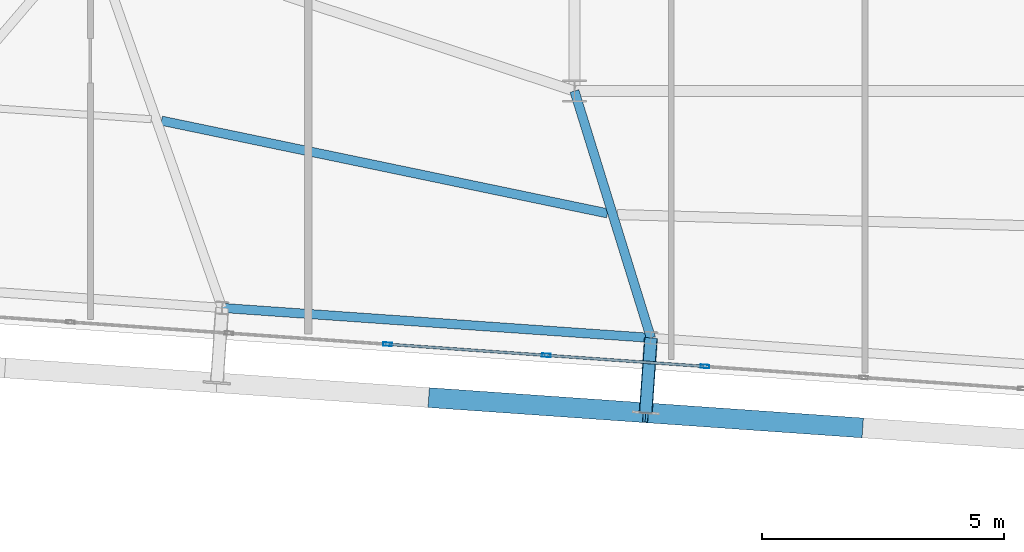
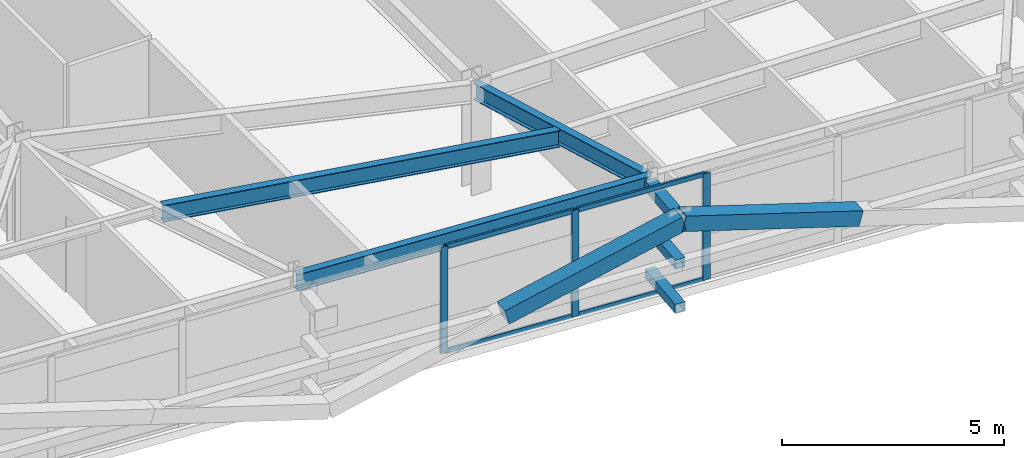
# One storey, part 11 of 47: 12 members, 3 beams, 1 element without a shape of its own.
"""IFC4 building model written with IfcOpenShell, lengths in metres."""

from ifc_helpers import new_model, si_unit, direction, frame, origin, origin_2d, place, context, subcontext, project, spatial, hollow_rectangle, i_section, extrude, source, transform, mapped, material, layer, layer_set, material_profile, profile_set, type_object, element, aggregate, save


model = new_model("IFC4")

# Units and contexts
model_context = context("Model", 3, precision=1e-05, world=origin(), true_north=direction((0.0, 1.0)))
body_context = subcontext(model_context, "Body", "Model", "MODEL_VIEW")
ifc_project = project(units=[si_unit("LENGTHUNIT", "METRE"), si_unit("AREAUNIT", "SQUARE_METRE"), si_unit("VOLUMEUNIT", "CUBIC_METRE"), si_unit("PLANEANGLEUNIT", "RADIAN"), si_unit("MASSUNIT", "GRAM", prefix="KILO")], contexts=[model_context])

# Site, building, storey
site_placement = place(None, origin())
site = spatial("IfcSite", under=ifc_project, at=site_placement, CompositionType="ELEMENT")
building_placement = place(site_placement, origin())
building = spatial("IfcBuilding", under=site, at=building_placement, Name="Taldren Reach Tower", CompositionType="ELEMENT")
storey_placement = place(building_placement, frame((0.0, 0.0, 142.449951171875)))
storey = spatial("IfcBuildingStorey", under=building, at=storey_placement, Name="L43", CompositionType="ELEMENT", Elevation=142.449951171875)

# Members
ifc_material_1 = material(Name="Steel Gr 450 (C450L0)", Category="steel")
ifc_material_profile_1 = material_profile(ifc_material_1, hollow_rectangle(XDim=0.27490234375, YDim=0.27490234375, WallThickness=0.00927734375, at=origin_2d()), Name="275x275x9.3SHS")
ifc_profile_set_1 = profile_set([ifc_material_profile_1], Name="Steel Gr 450 (C450L0)")
member_type_1 = type_object("IfcMemberType", Name="MB-TIE273", PredefinedType="STRUT", material=ifc_profile_set_1)
shared_shape_1 = source(origin(), body_context, "Body", "SweptSolid", [
    extrude(hollow_rectangle(XDim=0.27490234375, YDim=0.27490234375, WallThickness=0.00927734375, at=origin_2d()), origin(), (0.0, 0.0, 1.0), 1.550048828125),
])
member_1_placement = place(storey_placement, frame((29.580322265625, 4.099609375, 2.650146484375), z_axis=(-0.06976957191, -0.99756313426, 0.0), x_axis=(0.99756313426, -0.06976957191, 0.0)))
element("IfcMember", 1, at=member_1_placement, inside=storey, type_object=member_type_1, Name="Exoskeleton diaphragm tie strut B3-S3 L43", PredefinedType="STRUT", context=body_context, shape_type="MappedRepresentation", body=[
    mapped(shared_shape_1, transform((0.0, 0.0, 0.0), scale=1.0)),
])
ifc_material_2 = material(Name="Steel Gr 350 (C350L0)", Category="steel")
ifc_material_profile_2 = material_profile(ifc_material_2, hollow_rectangle(XDim=0.25, YDim=0.25, WallThickness=0.010009765625, at=origin_2d()), Name="250x250x10.0SHS")
ifc_profile_set_2 = profile_set([ifc_material_profile_2], Name="Steel Gr 350 (C350L0)")
member_type_2 = type_object("IfcMemberType", Name="MB-POST250", PredefinedType="POST", material=ifc_profile_set_2)
shared_shape_2 = source(origin(), body_context, "Body", "SweptSolid", [
    extrude(hollow_rectangle(XDim=0.25, YDim=0.25, WallThickness=0.010009765625, at=origin_2d()), origin(), (0.0, 0.0, 1.0), 1.550048828125),
])
for number, where, z_axis, x_axis, name in (
    (2, (29.580322265625, 4.099609375, 0.219970703125), (-0.06976957191, -0.99756313426, 0.0), (0.99756313426, -0.06976957191, 0.0), "Exoskeleton base diaphragm tie strut B3-S3 L43"),
    (3, (29.580322265625, 4.099609375, 1.43505859375), (-0.06976957191, -0.99756313426, 0.0), (0.99756313426, -0.06976957191, 0.0), "Exoskeleton mid-tier diaphragm tie B3-S3 L43"),
):
    element("IfcMember", number, at=place(storey_placement, frame(where, z_axis=z_axis, x_axis=x_axis)), inside=storey, type_object=member_type_2, Name=name, PredefinedType="POST", context=body_context, shape_type="MappedRepresentation", body=[
        mapped(shared_shape_2, transform((0.0, 0.0, 0.0), scale=1.0)),
    ])

# Beams
ifc_material_3 = material(Name="Steel Gr 350 (350PLUS)", Category="steel")
ifc_material_profile_3 = material_profile(ifc_material_3, i_section(OverallWidth=0.18994140625, OverallDepth=0.4541015625, WebThickness=0.008544921875, FlangeThickness=0.0126953125, at=origin_2d()), Name="460UB67.1")
ifc_profile_set_3 = profile_set([ifc_material_profile_3], Name="Steel Gr 350 (350PLUS)")
beam_type_1 = type_object("IfcBeamType", Name="SP-UB460B", PredefinedType="SPANDREL", material=ifc_profile_set_3)
shared_shape_3 = source(origin(), body_context, "Body", "SweptSolid", [
    extrude(i_section(OverallWidth=0.18994140625, OverallDepth=0.4541015625, WebThickness=0.008544921875, FlangeThickness=0.0126953125, at=origin_2d()), origin(), (0.0, 0.0, 1.0), 8.880126953125),
])
beam_1_placement = place(storey_placement, frame((20.721923828125, 4.718994140625, 2.703125), z_axis=(0.997564479639, -0.069750333063, 0.0), x_axis=(0.069750333063, 0.997564479639, 0.0)))
element("IfcBeam", 4, at=beam_1_placement, inside=storey, type_object=beam_type_1, Name="Perimeter spandrel B3 S2-S3 L43", PredefinedType="SPANDREL", context=body_context, shape_type="MappedRepresentation", body=[
    mapped(shared_shape_3, transform((0.0, 0.0, 0.0), scale=1.0)),
])
ifc_material_profile_4 = material_profile(ifc_material_3, i_section(OverallWidth=0.19091796875, OverallDepth=0.4599609375, WebThickness=0.010009765625, FlangeThickness=0.01611328125, at=origin_2d()), Name="460UB82.1")
ifc_profile_set_4 = profile_set([ifc_material_profile_4], Name="Steel Gr 350 (350PLUS)")
beam_type_2 = type_object("IfcBeamType", Name="BM-UB460A", PredefinedType="BEAM", material=ifc_profile_set_4)
shared_shape_4 = source(origin(), body_context, "Body", "SweptSolid", [
    extrude(i_section(OverallWidth=0.19091796875, OverallDepth=0.4599609375, WebThickness=0.010009765625, FlangeThickness=0.01611328125, at=origin_2d()), origin(), (0.0, 0.0, 1.0), 5.339599609375),
])
beam_2_placement = place(storey_placement, frame((28.0, 9.199951171875, 2.699951171875), z_axis=(0.295964865482, -0.955198826632, 0.0), x_axis=(0.955198826632, 0.295964865482, 0.0)))
element("IfcBeam", 5, at=beam_2_placement, inside=storey, type_object=beam_type_2, Name="Primary floor girder B3-S3 L43", PredefinedType="BEAM", context=body_context, shape_type="MappedRepresentation", body=[
    mapped(shared_shape_4, transform((0.0, 0.0, 0.0), scale=1.0)),
])
shared_shape_5 = source(origin(), body_context, "Body", "SweptSolid", [
    extrude(i_section(OverallWidth=0.19091796875, OverallDepth=0.4599609375, WebThickness=0.010009765625, FlangeThickness=0.01611328125, at=origin_2d()), origin(), (0.0, 0.0, 1.0), 9.410400390625),
])
beam_3_placement = place(storey_placement, frame((19.469970703125, 8.5869140625, 2.699951171875), z_axis=(0.97907399109, -0.20350459447, 0.0), x_axis=(0.20350459447, 0.97907399109, 0.0)))
element("IfcBeam", 6, at=beam_3_placement, inside=storey, type_object=beam_type_2, Name="Secondary floor beam B3 J2 L43", PredefinedType="BEAM", context=body_context, shape_type="MappedRepresentation", body=[
    mapped(shared_shape_5, transform((0.0, 0.0, 0.0), scale=1.0)),
])

# Members
ifc_material_profile_5 = material_profile(ifc_material_1, hollow_rectangle(XDim=0.409912109375, YDim=0.409912109375, WallThickness=0.01611328125, at=origin_2d()), Name="410x410x16.0SHS")
ifc_profile_set_5 = profile_set([ifc_material_profile_5], Name="Steel Gr 450 (C450L0)")
member_type_3 = type_object("IfcMemberType", Name="MB-EXO406", PredefinedType="BRACE", material=ifc_profile_set_5)
shared_shape_6 = source(origin(), body_context, "Body", "SweptSolid", [
    extrude(hollow_rectangle(XDim=0.409912109375, YDim=0.409912109375, WallThickness=0.01611328125, at=origin_2d()), origin(), (0.0, 0.0, 1.0), 4.603271484375),
])
for number, where, z_axis, x_axis, name in (
    (7, (25.04296875, 2.863037109375, 1.43505859375), (0.962182351074, -0.067302910567, 0.263961060594), (0.06977769246, 0.997562566276, 0.0), "Exoskeleton Diagrid Brace B3-S2 L43"),
    (8, (33.9013671875, 2.24365234375, 1.43505859375), (-0.962185784239, 0.067250114343, 0.263962002434), (-0.069722973508, -0.997566392259, 0.0), "Exoskeleton Diagrid Brace B3-S3 L43"),
):
    element("IfcMember", number, at=place(storey_placement, frame(where, z_axis=z_axis, x_axis=x_axis)), inside=storey, type_object=member_type_3, Name=name, PredefinedType="BRACE", context=body_context, shape_type="MappedRepresentation", body=[
        mapped(shared_shape_6, transform((0.0, 0.0, 0.0), scale=1.0)),
    ])

# Curtain wall, members
ifc_material_4 = material(Name="Aluminium and Low-E Glass Unitised System", Category="aluminium")
ifc_layer = layer(ifc_material_4, 0.159912109375)
ifc_layer_set = layer_set([ifc_layer], Name="Aluminium and Low-E Glass Unitised System")
curtain_wall_type = type_object("IfcCurtainWallType", Name="CW-SYS-4", PredefinedType="NOTDEFINED", material=ifc_layer_set)
curtain_wall_placement = place(storey_placement, origin())
curtain_wall = element("IfcCurtainWall", 9, at=curtain_wall_placement, inside=storey, type_object=curtain_wall_type, Name="Unitised curtain wall CW-L43-S", PredefinedType="NOTDEFINED")
ifc_material_5 = material(Name="Anodised Aluminium 6063-T6", Category="aluminium")
ifc_material_profile_6 = material_profile(ifc_material_5, hollow_rectangle(XDim=0.070068359375, YDim=0.179931640625, WallThickness=0.00390625, at=origin_2d()), Name="ALU-180x70x4RHS")
ifc_profile_set_6 = profile_set([ifc_material_profile_6], Name="Anodised Aluminium 6063-T6")
member_type_4 = type_object("IfcMemberType", Name="CW-MUL-180", PredefinedType="MULLION", material=ifc_profile_set_6)
shared_shape_7 = source(origin(), body_context, "Body", "SweptSolid", [
    extrude(hollow_rectangle(XDim=0.070068359375, YDim=0.179931640625, WallThickness=0.00390625, at=origin_2d()), origin(), (0.0, 0.0, 1.0), 2.929931640625),
])
member_2_placement = place(storey_placement, frame((24.140869140625, 3.96875, 0.0), z_axis=(0.0, 0.0, 1.0), x_axis=(0.06975651593, 0.99756404731, 0.0)))
member_2 = element("IfcMember", 10, at=member_2_placement, type_object=member_type_4, Name="CW-4 mullion 5", PredefinedType="MULLION", context=body_context, shape_type="MappedRepresentation", body=[
    mapped(shared_shape_7, transform((0.0, 0.0, 0.0), scale=1.0)),
])
member_3_placement = place(storey_placement, frame((27.41845703125, 3.739501953125, 0.0), z_axis=(0.0, 0.0, 1.0), x_axis=(0.06975651593, 0.99756404731, 0.0)))
member_3 = element("IfcMember", 11, at=member_3_placement, type_object=member_type_4, Name="CW-4 mullion 6", PredefinedType="MULLION", context=body_context, shape_type="MappedRepresentation", body=[
    mapped(shared_shape_7, transform((0.0, 0.0, 0.0), scale=1.0)),
])
member_4_placement = place(storey_placement, frame((30.6962890625, 3.51025390625, 0.0), z_axis=(0.0, 0.0, 1.0), x_axis=(0.06975651593, 0.99756404731, 0.0)))
member_4 = element("IfcMember", 12, at=member_4_placement, type_object=member_type_4, Name="CW-4 mullion 7", PredefinedType="MULLION", context=body_context, shape_type="MappedRepresentation", body=[
    mapped(shared_shape_7, transform((0.0, 0.0, 0.0), scale=1.0)),
])
ifc_material_profile_7 = material_profile(ifc_material_5, hollow_rectangle(XDim=0.054931640625, YDim=0.1201171875, WallThickness=0.0029296875, at=origin_2d()), Name="ALU-120x55x3RHS")
ifc_profile_set_7 = profile_set([ifc_material_profile_7], Name="Anodised Aluminium 6063-T6")
member_type_5 = type_object("IfcMemberType", Name="CW-TRN-135", PredefinedType="USERDEFINED", material=ifc_profile_set_7)
shared_shape_8 = source(origin(), body_context, "Body", "SweptSolid", [
    extrude(hollow_rectangle(XDim=0.054931640625, YDim=0.1201171875, WallThickness=0.0029296875, at=origin_2d()), origin(), (0.0, 0.0, 1.0), 3.2158203125),
])
member_5_placement = place(storey_placement, frame((27.453369140625, 3.737060546875, 0.027587890625), z_axis=(0.997563195991, -0.069768689278, 0.0), x_axis=(0.069768689278, 0.997563195991, 0.0)))
member_5 = element("IfcMember", 13, at=member_5_placement, type_object=member_type_5, Name="CW-4 transom 6.1", ObjectType="TRANSOM", PredefinedType="USERDEFINED", context=body_context, shape_type="MappedRepresentation", body=[
    mapped(shared_shape_8, transform((0.0, 0.0, 0.0), scale=1.0)),
])
member_6_placement = place(storey_placement, frame((27.453369140625, 3.737060546875, 2.902587890625), z_axis=(0.997563195991, -0.069768689278, 0.0), x_axis=(0.069768689278, 0.997563195991, 0.0)))
member_6 = element("IfcMember", 14, at=member_6_placement, type_object=member_type_5, Name="CW-4 transom 6.2", ObjectType="TRANSOM", PredefinedType="USERDEFINED", context=body_context, shape_type="MappedRepresentation", body=[
    mapped(shared_shape_8, transform((0.0, 0.0, 0.0), scale=1.0)),
])
shared_shape_9 = source(origin(), body_context, "Body", "SweptSolid", [
    extrude(hollow_rectangle(XDim=0.054931640625, YDim=0.1201171875, WallThickness=0.0029296875, at=origin_2d()), origin(), (0.0, 0.0, 1.0), 3.215576171875),
])
member_7_placement = place(storey_placement, frame((24.17578125, 3.96630859375, 0.027587890625), z_axis=(0.997562826405, -0.069773973473, 0.0), x_axis=(0.069773973473, 0.997562826405, 0.0)))
member_7 = element("IfcMember", 15, at=member_7_placement, type_object=member_type_5, Name="CW-4 transom 5.1", ObjectType="TRANSOM", PredefinedType="USERDEFINED", context=body_context, shape_type="MappedRepresentation", body=[
    mapped(shared_shape_9, transform((0.0, 0.0, 0.0), scale=1.0)),
])
member_8_placement = place(storey_placement, frame((24.17578125, 3.96630859375, 2.902587890625), z_axis=(0.997562826405, -0.069773973473, 0.0), x_axis=(0.069773973473, 0.997562826405, 0.0)))
member_8 = element("IfcMember", 16, at=member_8_placement, type_object=member_type_5, Name="CW-4 transom 5.2", ObjectType="TRANSOM", PredefinedType="USERDEFINED", context=body_context, shape_type="MappedRepresentation", body=[
    mapped(shared_shape_9, transform((0.0, 0.0, 0.0), scale=1.0)),
])
aggregate(curtain_wall, [member_2, member_3, member_4, member_7, member_8, member_5, member_6])

save(model, "model.ifc")
